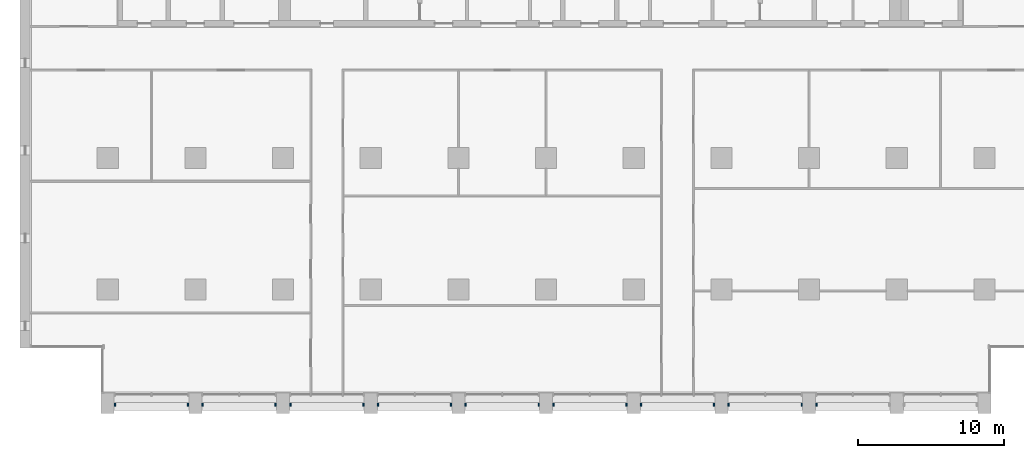
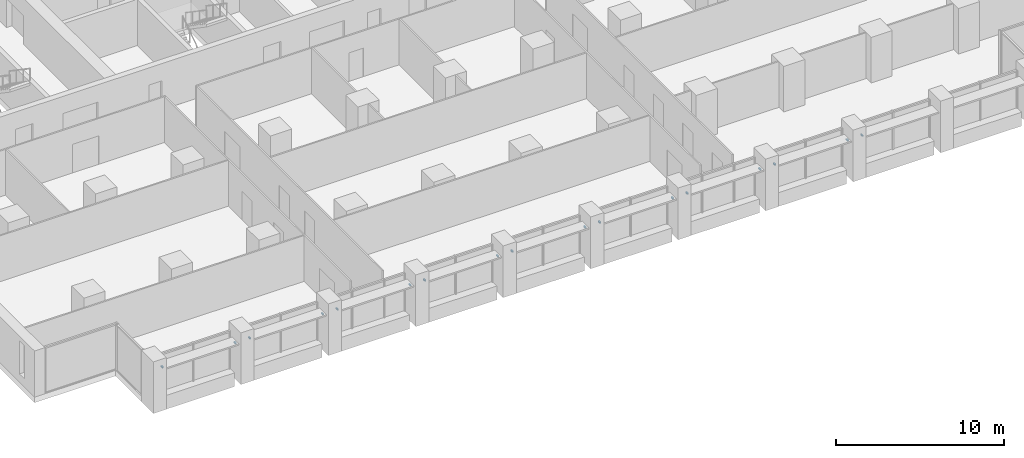
# One storey, part 14 of 17: 17 discrete accessories.
"""IFC4 building model written with IfcOpenShell, lengths in metres."""

from ifc_helpers import new_model, si_unit, direction, frame, origin, origin_2d, place, context, subcontext, project, spatial, rectangle, extrude, element, save


model = new_model("IFC4")

# Units and contexts
model_context = context("Model", 3, precision=1e-05, world=origin(), true_north=direction((0.0, 1.0)))
body_context = subcontext(model_context, "Body", "Model", "MODEL_VIEW")
ifc_project = project(units=[si_unit("LENGTHUNIT", "METRE"), si_unit("AREAUNIT", "SQUARE_METRE"), si_unit("VOLUMEUNIT", "CUBIC_METRE"), si_unit("PLANEANGLEUNIT", "RADIAN"), si_unit("MASSUNIT", "GRAM", prefix="KILO")], contexts=[model_context])

# Site, building, storey
site_placement = place(None, origin())
site = spatial("IfcSite", under=ifc_project, at=site_placement, CompositionType="ELEMENT")
building_placement = place(site_placement, origin())
building = spatial("IfcBuilding", under=site, at=building_placement, Name="Calvaro Tower", CompositionType="ELEMENT")
storey_placement = place(building_placement, frame((0.0, 0.0, 98.75)))
storey = spatial("IfcBuildingStorey", under=building, at=storey_placement, Name="L24", CompositionType="ELEMENT", Elevation=98.75)

# Discrete accessories
for number, where, z_axis, x_axis, name in (
    (1, (6.5, 2.10009765625, 2.25), (0.0, 0.0, 1.0), (1.0, 0.0, 0.0), "Brise-soleil bracket"),
    (2, (11.5, 2.10009765625, 2.25), (0.0, 0.0, 1.0), (1.0, 0.0, 0.0), "Brise-soleil bracket"),
    (3, (12.5, 2.10009765625, 2.25), (0.0, 0.0, 1.0), (1.0, 0.0, 0.0), "Brise-soleil bracket"),
    (4, (17.5, 2.10009765625, 2.25), (0.0, 0.0, 1.0), (1.0, 0.0, 0.0), "Brise-soleil bracket"),
    (5, (18.5, 2.10009765625, 2.25), (0.0, 0.0, 1.0), (1.0, 0.0, 0.0), "Brise-soleil bracket"),
    (6, (23.5, 2.10009765625, 2.25), (0.0, 0.0, 1.0), (1.0, 0.0, 0.0), "Brise-soleil bracket"),
    (7, (24.5, 2.10009765625, 2.25), (0.0, 0.0, 1.0), (1.0, 0.0, 0.0), "Brise-soleil bracket"),
    (8, (29.5, 2.10009765625, 2.25), (0.0, 0.0, 1.0), (1.0, 0.0, 0.0), "Brise-soleil bracket"),
    (9, (30.5, 2.10009765625, 2.25), (0.0, 0.0, 1.0), (1.0, 0.0, 0.0), "Brise-soleil bracket"),
    (10, (35.5, 2.10009765625, 2.25), (0.0, 0.0, 1.0), (1.0, 0.0, 0.0), "Brise-soleil bracket"),
    (11, (36.5, 2.10009765625, 2.25), (0.0, 0.0, 1.0), (1.0, 0.0, 0.0), "Brise-soleil bracket"),
    (12, (41.5, 2.10009765625, 2.25), (0.0, 0.0, 1.0), (1.0, 0.0, 0.0), "Brise-soleil bracket"),
    (13, (42.5, 2.10009765625, 2.25), (0.0, 0.0, 1.0), (1.0, 0.0, 0.0), "Brise-soleil bracket"),
    (14, (47.5, 2.10009765625, 2.25), (0.0, 0.0, 1.0), (1.0, 0.0, 0.0), "Brise-soleil bracket"),
    (15, (48.5, 2.10009765625, 2.25), (0.0, 0.0, 1.0), (1.0, 0.0, 0.0), "Brise-soleil bracket"),
    (16, (53.5, 2.10009765625, 2.25), (0.0, 0.0, 1.0), (1.0, 0.0, 0.0), "Brise-soleil bracket"),
    (17, (54.5, 2.10009765625, 2.25), (0.0, 0.0, 1.0), (1.0, 0.0, 0.0), "Brise-soleil bracket"),
):
    element("IfcDiscreteAccessory", number, at=place(storey_placement, frame(where, z_axis=z_axis, x_axis=x_axis)), inside=storey, Name=name, PredefinedType="BRACKET", context=body_context, shape_type="SweptSolid", body=[
        extrude(rectangle(XDim=0.10009765625, YDim=0.199951171875, at=origin_2d()), origin(), (0.0, 0.0, 1.0), 0.10009765625),
    ])

save(model, "model.ifc")
